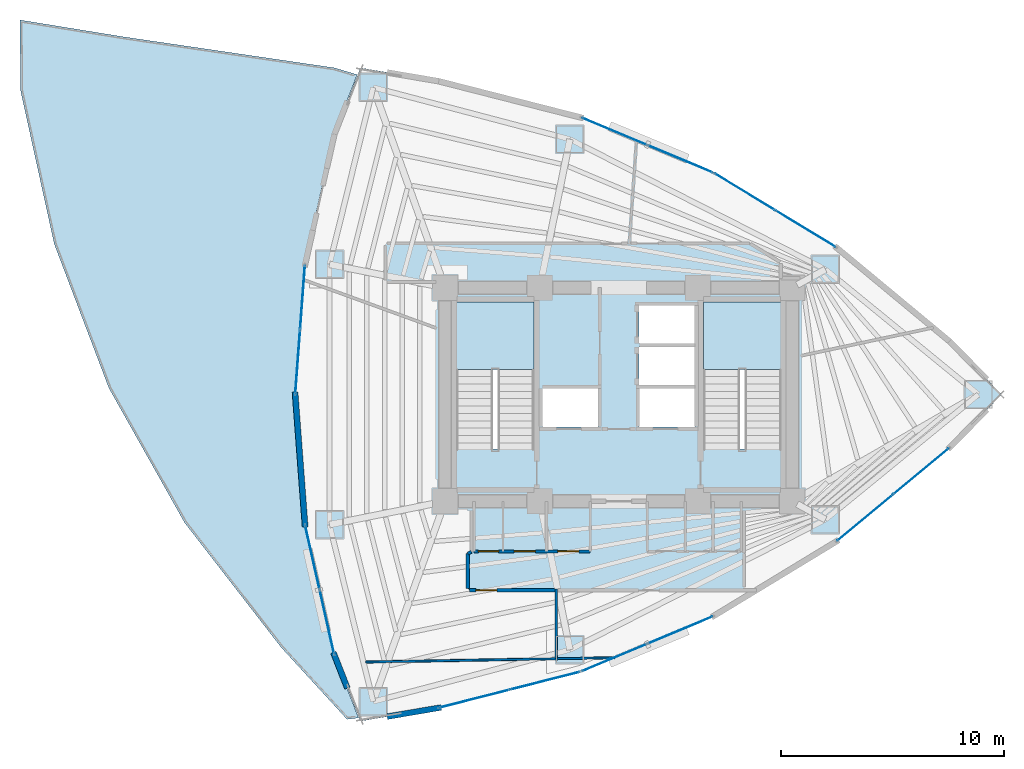
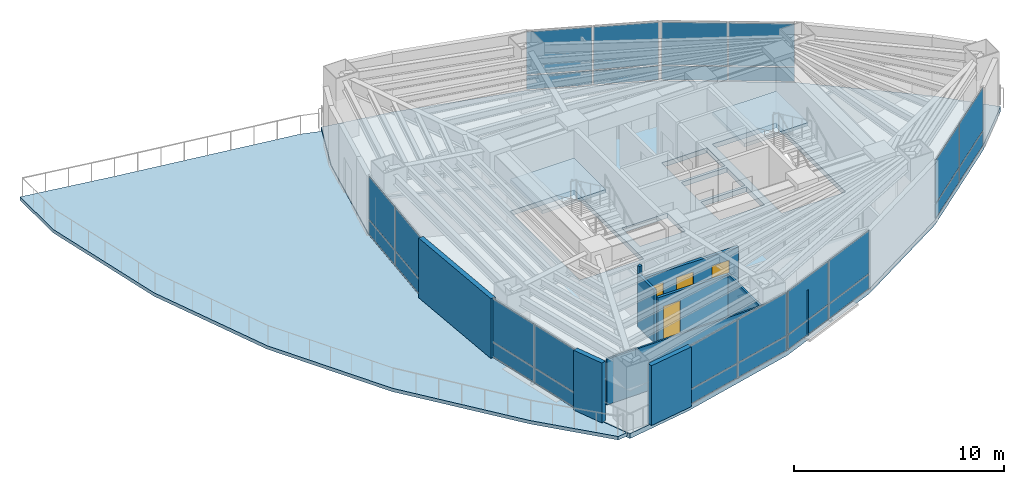
# One storey, part 14 of 19: 28 plates, 9 walls, 4 doors, 4 slabs, 4 openings, 9 elements without a shape of their own.
"""IFC4 building model written with IfcOpenShell, lengths in metres."""

from ifc_helpers import new_model, si_unit, direction, frame, frame_2d, origin, origin_2d, place, context, subcontext, project, spatial, polyline, rectangle, outline, extrude, material, layer, layer_set, type_object, element, fill, aggregate, save


model = new_model("IFC4")

# Units and contexts
model_context = context("Model", 3, precision=1e-05, world=origin(), true_north=direction((0.0, 1.0)))
body_context = subcontext(model_context, "Body", "Model", "MODEL_VIEW")
ifc_project = project(units=[si_unit("LENGTHUNIT", "METRE"), si_unit("AREAUNIT", "SQUARE_METRE"), si_unit("VOLUMEUNIT", "CUBIC_METRE"), si_unit("PLANEANGLEUNIT", "RADIAN"), si_unit("MASSUNIT", "GRAM", prefix="KILO")], contexts=[model_context])

# Site, building, storey
site_placement = place(None, origin())
site = spatial("IfcSite", under=ifc_project, at=site_placement, CompositionType="ELEMENT")
building_placement = place(site_placement, origin())
building = spatial("IfcBuilding", under=site, at=building_placement, Name="Menara Vayukalpa", CompositionType="ELEMENT")
storey_placement = place(building_placement, frame((0.0, 0.0, 118.860107421875)))
storey = spatial("IfcBuildingStorey", under=building, at=storey_placement, Name="L29", CompositionType="ELEMENT", Elevation=118.860107421875)

# Curtain wall, plates
ifc_material_1 = material(Name="Anodised Terracotta Aluminium Alloy 6063-T6", Category="masonry")
ifc_layer_1 = layer(ifc_material_1, 0.14990234375)
ifc_layer_set_1 = layer_set([ifc_layer_1], Name="Anodised Terracotta Aluminium Alloy 6063-T6")
curtain_wall_type = type_object("IfcCurtainWallType", Name="CW-CW3", PredefinedType="USERDEFINED", material=ifc_layer_set_1)
curtain_wall_1_placement = place(storey_placement, origin())
curtain_wall_1 = element("IfcCurtainWall", 1, at=curtain_wall_1_placement, inside=storey, type_object=curtain_wall_type, Name="L29 Mid Rise Terracotta Ribbon Curtain Wall CW3 04", ObjectType="UNITISED", PredefinedType="USERDEFINED")
ifc_material_2 = material(Name="Low-E Double Glazing", Category="glass")
ifc_layer_2 = layer(ifc_material_2, 0.030029296875)
ifc_layer_set_2 = layer_set([ifc_layer_2], Name="Low-E Double Glazing")
plate_type = type_object("IfcPlateType", Name="CWP-CW3", PredefinedType="CURTAIN_PANEL", material=ifc_layer_set_2)
plate_1_placement = place(storey_placement, frame((33.9921875, 29.44873046875, 0.06494140625), z_axis=(0.0, 0.0, 1.0), x_axis=(-0.854663123674, 0.519182959112, 0.0)))
plate_1 = element("IfcPlate", 2, at=plate_1_placement, type_object=plate_type, Name="CW3 panel 1.1", PredefinedType="CURTAIN_PANEL", context=body_context, shape_type="SweptSolid", body=[
    extrude(rectangle(XDim=3.1318359375, YDim=0.030029296875, at=origin_2d()), origin(), (0.0, 0.0, 1.0), 0.802490234375),
])
plate_2_placement = place(storey_placement, frame((33.9921875, 29.44873046875, 0.9326171875), z_axis=(0.0, 0.0, 1.0), x_axis=(-0.854663123674, 0.519182959112, 0.0)))
plate_2 = element("IfcPlate", 3, at=plate_2_placement, type_object=plate_type, Name="CW3 panel 1.2", PredefinedType="CURTAIN_PANEL", context=body_context, shape_type="SweptSolid", body=[
    extrude(rectangle(XDim=3.1318359375, YDim=0.030029296875, at=origin_2d()), origin(), (0.0, 0.0, 1.0), 2.472412109375),
])
plate_3_placement = place(storey_placement, frame((31.259765625, 31.1083984375, 0.06494140625), z_axis=(0.0, 0.0, 1.0), x_axis=(-0.854663123674, 0.519182959112, 0.0)))
plate_3 = element("IfcPlate", 4, at=plate_3_placement, type_object=plate_type, Name="CW3 panel 2.1", PredefinedType="CURTAIN_PANEL", context=body_context, shape_type="SweptSolid", body=[
    extrude(rectangle(XDim=3.1318359375, YDim=0.030029296875, at=origin_2d()), origin(), (0.0, 0.0, 1.0), 0.802490234375),
])
plate_4_placement = place(storey_placement, frame((31.259765625, 31.1083984375, 0.9326171875), z_axis=(0.0, 0.0, 1.0), x_axis=(-0.854663123674, 0.519182959112, 0.0)))
plate_4 = element("IfcPlate", 5, at=plate_4_placement, type_object=plate_type, Name="CW3 panel 2.2", PredefinedType="CURTAIN_PANEL", context=body_context, shape_type="SweptSolid", body=[
    extrude(rectangle(XDim=3.1318359375, YDim=0.030029296875, at=origin_2d()), origin(), (0.0, 0.0, 1.0), 2.472412109375),
])
aggregate(curtain_wall_1, [plate_1, plate_2, plate_3, plate_4])

curtain_wall_2_placement = place(storey_placement, origin())
curtain_wall_2 = element("IfcCurtainWall", 6, at=curtain_wall_2_placement, inside=storey, type_object=curtain_wall_type, Name="L29 Mid Rise Terracotta Ribbon Curtain Wall CW3 05", ObjectType="UNITISED", PredefinedType="USERDEFINED")
plate_5_placement = place(storey_placement, frame((28.361328125, 32.58447265625, 0.06494140625), z_axis=(0.0, 0.0, 1.0), x_axis=(-0.922543300632, 0.38589358437, 0.0)))
plate_5 = element("IfcPlate", 7, at=plate_5_placement, type_object=plate_type, Name="CW3 panel 1.1", PredefinedType="CURTAIN_PANEL", context=body_context, shape_type="SweptSolid", body=[
    extrude(rectangle(XDim=3.1318359375, YDim=0.030029296875, at=origin_2d()), origin(), (0.0, 0.0, 1.0), 0.802490234375),
])
plate_6_placement = place(storey_placement, frame((28.361328125, 32.58447265625, 0.9326171875), z_axis=(0.0, 0.0, 1.0), x_axis=(-0.922543300632, 0.38589358437, 0.0)))
plate_6 = element("IfcPlate", 8, at=plate_6_placement, type_object=plate_type, Name="CW3 panel 1.2", PredefinedType="CURTAIN_PANEL", context=body_context, shape_type="SweptSolid", body=[
    extrude(rectangle(XDim=3.1318359375, YDim=0.030029296875, at=origin_2d()), origin(), (0.0, 0.0, 1.0), 2.472412109375),
])
plate_7_placement = place(storey_placement, frame((25.412109375, 33.818115234375, 0.06494140625), z_axis=(0.0, 0.0, 1.0), x_axis=(-0.922543300632, 0.38589358437, 0.0)))
plate_7 = element("IfcPlate", 9, at=plate_7_placement, type_object=plate_type, Name="CW3 panel 2.1", PredefinedType="CURTAIN_PANEL", context=body_context, shape_type="SweptSolid", body=[
    extrude(rectangle(XDim=3.1318359375, YDim=0.030029296875, at=origin_2d()), origin(), (0.0, 0.0, 1.0), 0.802490234375),
])
plate_8_placement = place(storey_placement, frame((25.412109375, 33.818115234375, 0.9326171875), z_axis=(0.0, 0.0, 1.0), x_axis=(-0.922543300632, 0.38589358437, 0.0)))
plate_8 = element("IfcPlate", 10, at=plate_8_placement, type_object=plate_type, Name="CW3 panel 2.2", PredefinedType="CURTAIN_PANEL", context=body_context, shape_type="SweptSolid", body=[
    extrude(rectangle(XDim=3.1318359375, YDim=0.030029296875, at=origin_2d()), origin(), (0.0, 0.0, 1.0), 2.472412109375),
])
aggregate(curtain_wall_2, [plate_5, plate_6, plate_7, plate_8])

curtain_wall_3_placement = place(storey_placement, origin())
curtain_wall_3 = element("IfcCurtainWall", 11, at=curtain_wall_3_placement, inside=storey, type_object=curtain_wall_type, Name="L29 Mid Rise Terracotta Ribbon Curtain Wall CW3 11", ObjectType="UNITISED", PredefinedType="USERDEFINED")
plate_9_placement = place(storey_placement, frame((11.395751953125, 26.3681640625, 0.06494140625), z_axis=(0.0, 0.0, 1.0), x_axis=(-0.07478528334, -0.997199659745, 0.0)))
plate_9 = element("IfcPlate", 12, at=plate_9_placement, type_object=plate_type, Name="CW3 panel 1.1", PredefinedType="CURTAIN_PANEL", context=body_context, shape_type="SweptSolid", body=[
    extrude(rectangle(XDim=2.83349609375, YDim=0.030029296875, at=origin_2d()), origin(), (0.0, 0.0, 1.0), 0.802490234375),
])
plate_10_placement = place(storey_placement, frame((11.395751953125, 26.3681640625, 0.9326171875), z_axis=(0.0, 0.0, 1.0), x_axis=(-0.07478528334, -0.997199659745, 0.0)))
plate_10 = element("IfcPlate", 13, at=plate_10_placement, type_object=plate_type, Name="CW3 panel 1.2", PredefinedType="CURTAIN_PANEL", context=body_context, shape_type="SweptSolid", body=[
    extrude(rectangle(XDim=2.83349609375, YDim=0.030029296875, at=origin_2d()), origin(), (0.0, 0.0, 1.0), 2.472412109375),
])
plate_11_placement = place(storey_placement, frame((11.178955078125, 23.4775390625, 0.06494140625), z_axis=(0.0, 0.0, 1.0), x_axis=(-0.07478528334, -0.997199659745, 0.0)))
plate_11 = element("IfcPlate", 14, at=plate_11_placement, type_object=plate_type, Name="CW3 panel 2.1", PredefinedType="CURTAIN_PANEL", context=body_context, shape_type="SweptSolid", body=[
    extrude(rectangle(XDim=2.83349609375, YDim=0.030029296875, at=origin_2d()), origin(), (0.0, 0.0, 1.0), 0.802490234375),
])
plate_12_placement = place(storey_placement, frame((11.178955078125, 23.4775390625, 0.9326171875), z_axis=(0.0, 0.0, 1.0), x_axis=(-0.07478528334, -0.997199659745, 0.0)))
plate_12 = element("IfcPlate", 15, at=plate_12_placement, type_object=plate_type, Name="CW3 panel 2.2", PredefinedType="CURTAIN_PANEL", context=body_context, shape_type="SweptSolid", body=[
    extrude(rectangle(XDim=2.83349609375, YDim=0.030029296875, at=origin_2d()), origin(), (0.0, 0.0, 1.0), 2.472412109375),
])
aggregate(curtain_wall_3, [plate_9, plate_10, plate_11, plate_12])

curtain_wall_4_placement = place(storey_placement, origin())
curtain_wall_4 = element("IfcCurtainWall", 16, at=curtain_wall_4_placement, inside=storey, type_object=curtain_wall_type, Name="L29 Mid Rise Terracotta Ribbon Curtain Wall CW3 13", ObjectType="UNITISED", PredefinedType="USERDEFINED")
plate_13_placement = place(storey_placement, frame((11.839111328125, 14.677001953125, 0.06494140625), z_axis=(0.0, 0.0, 1.0), x_axis=(0.219514975016, -0.975609130617, 0.0)))
plate_13 = element("IfcPlate", 17, at=plate_13_placement, type_object=plate_type, Name="CW3 panel 1.1", PredefinedType="CURTAIN_PANEL", context=body_context, shape_type="SweptSolid", body=[
    extrude(rectangle(XDim=2.8984375, YDim=0.030029296875, at=origin_2d()), origin(), (0.0, 0.0, 1.0), 0.802490234375),
])
plate_14_placement = place(storey_placement, frame((11.839111328125, 14.677001953125, 0.9326171875), z_axis=(0.0, 0.0, 1.0), x_axis=(0.219514975016, -0.975609130617, 0.0)))
plate_14 = element("IfcPlate", 18, at=plate_14_placement, type_object=plate_type, Name="CW3 panel 1.2", PredefinedType="CURTAIN_PANEL", context=body_context, shape_type="SweptSolid", body=[
    extrude(rectangle(XDim=2.8984375, YDim=0.030029296875, at=origin_2d()), origin(), (0.0, 0.0, 1.0), 2.472412109375),
])
plate_15_placement = place(storey_placement, frame((12.489501953125, 11.785888671875, 0.06494140625), z_axis=(0.0, 0.0, 1.0), x_axis=(0.219514975016, -0.975609130617, 0.0)))
plate_15 = element("IfcPlate", 19, at=plate_15_placement, type_object=plate_type, Name="CW3 panel 2.1", PredefinedType="CURTAIN_PANEL", context=body_context, shape_type="SweptSolid", body=[
    extrude(rectangle(XDim=2.8984375, YDim=0.030029296875, at=origin_2d()), origin(), (0.0, 0.0, 1.0), 0.802490234375),
])
plate_16_placement = place(storey_placement, frame((12.489501953125, 11.785888671875, 0.9326171875), z_axis=(0.0, 0.0, 1.0), x_axis=(0.219514975016, -0.975609130617, 0.0)))
plate_16 = element("IfcPlate", 20, at=plate_16_placement, type_object=plate_type, Name="CW3 panel 2.2", PredefinedType="CURTAIN_PANEL", context=body_context, shape_type="SweptSolid", body=[
    extrude(rectangle(XDim=2.8984375, YDim=0.030029296875, at=origin_2d()), origin(), (0.0, 0.0, 1.0), 2.472412109375),
])
aggregate(curtain_wall_4, [plate_13, plate_14, plate_15, plate_16])

curtain_wall_5_placement = place(storey_placement, origin())
curtain_wall_5 = element("IfcCurtainWall", 21, at=curtain_wall_5_placement, inside=storey, type_object=curtain_wall_type, Name="L29 Mid Rise Terracotta Ribbon Curtain Wall CW3 16", ObjectType="UNITISED", PredefinedType="USERDEFINED")
plate_17_placement = place(storey_placement, frame((19.12548828125, 8.332763671875, 0.06494140625), z_axis=(0.0, 0.0, 1.0), x_axis=(0.968982181476, 0.247130597017, 0.0)))
plate_17 = element("IfcPlate", 22, at=plate_17_placement, type_object=plate_type, Name="CW3 panel 1.1", PredefinedType="CURTAIN_PANEL", context=body_context, shape_type="SweptSolid", body=[
    extrude(rectangle(XDim=3.203369140625, YDim=0.030029296875, at=origin_2d()), origin(), (0.0, 0.0, 1.0), 0.802490234375),
])
plate_18_placement = place(storey_placement, frame((19.12548828125, 8.332763671875, 0.9326171875), z_axis=(0.0, 0.0, 1.0), x_axis=(0.968982181476, 0.247130597017, 0.0)))
plate_18 = element("IfcPlate", 23, at=plate_18_placement, type_object=plate_type, Name="CW3 panel 1.2", PredefinedType="CURTAIN_PANEL", context=body_context, shape_type="SweptSolid", body=[
    extrude(rectangle(XDim=3.203369140625, YDim=0.030029296875, at=origin_2d()), origin(), (0.0, 0.0, 1.0), 2.472412109375),
])
plate_19_placement = place(storey_placement, frame((22.29248046875, 9.140625, 0.06494140625), z_axis=(0.0, 0.0, 1.0), x_axis=(0.968982181476, 0.247130597017, 0.0)))
plate_19 = element("IfcPlate", 24, at=plate_19_placement, type_object=plate_type, Name="CW3 panel 2.1", PredefinedType="CURTAIN_PANEL", context=body_context, shape_type="SweptSolid", body=[
    extrude(rectangle(XDim=3.203369140625, YDim=0.030029296875, at=origin_2d()), origin(), (0.0, 0.0, 1.0), 0.802490234375),
])
plate_20_placement = place(storey_placement, frame((22.29248046875, 9.140625, 0.9326171875), z_axis=(0.0, 0.0, 1.0), x_axis=(0.968982181476, 0.247130597017, 0.0)))
plate_20 = element("IfcPlate", 25, at=plate_20_placement, type_object=plate_type, Name="CW3 panel 2.2", PredefinedType="CURTAIN_PANEL", context=body_context, shape_type="SweptSolid", body=[
    extrude(rectangle(XDim=3.203369140625, YDim=0.030029296875, at=origin_2d()), origin(), (0.0, 0.0, 1.0), 2.472412109375),
])
aggregate(curtain_wall_5, [plate_17, plate_18, plate_19, plate_20])

curtain_wall_6_placement = place(storey_placement, origin())
curtain_wall_6 = element("IfcCurtainWall", 26, at=curtain_wall_6_placement, inside=storey, type_object=curtain_wall_type, Name="L29 Mid Rise Terracotta Ribbon Curtain Wall CW3 17", ObjectType="UNITISED", PredefinedType="USERDEFINED")
plate_21_placement = place(storey_placement, frame((25.412109375, 10.181884765625, 0.06494140625), z_axis=(0.0, 0.0, 1.0), x_axis=(0.922543300632, 0.38589358437, 0.0)))
plate_21 = element("IfcPlate", 27, at=plate_21_placement, type_object=plate_type, Name="CW3 panel 1.1", PredefinedType="CURTAIN_PANEL", context=body_context, shape_type="SweptSolid", body=[
    extrude(rectangle(XDim=3.1318359375, YDim=0.030029296875, at=origin_2d()), origin(), (0.0, 0.0, 1.0), 0.802490234375),
])
plate_22_placement = place(storey_placement, frame((25.412109375, 10.181884765625, 0.9326171875), z_axis=(0.0, 0.0, 1.0), x_axis=(0.922543300632, 0.38589358437, 0.0)))
plate_22 = element("IfcPlate", 28, at=plate_22_placement, type_object=plate_type, Name="CW3 panel 1.2", PredefinedType="CURTAIN_PANEL", context=body_context, shape_type="SweptSolid", body=[
    extrude(rectangle(XDim=3.1318359375, YDim=0.030029296875, at=origin_2d()), origin(), (0.0, 0.0, 1.0), 2.472412109375),
])
plate_23_placement = place(storey_placement, frame((28.361328125, 11.41552734375, 0.06494140625), z_axis=(0.0, 0.0, 1.0), x_axis=(0.922543300632, 0.38589358437, 0.0)))
plate_23 = element("IfcPlate", 29, at=plate_23_placement, type_object=plate_type, Name="CW3 panel 2.1", PredefinedType="CURTAIN_PANEL", context=body_context, shape_type="SweptSolid", body=[
    extrude(rectangle(XDim=3.1318359375, YDim=0.030029296875, at=origin_2d()), origin(), (0.0, 0.0, 1.0), 0.802490234375),
])
plate_24_placement = place(storey_placement, frame((28.361328125, 11.41552734375, 0.9326171875), z_axis=(0.0, 0.0, 1.0), x_axis=(0.922543300632, 0.38589358437, 0.0)))
plate_24 = element("IfcPlate", 30, at=plate_24_placement, type_object=plate_type, Name="CW3 panel 2.2", PredefinedType="CURTAIN_PANEL", context=body_context, shape_type="SweptSolid", body=[
    extrude(rectangle(XDim=3.1318359375, YDim=0.030029296875, at=origin_2d()), origin(), (0.0, 0.0, 1.0), 2.472412109375),
])
aggregate(curtain_wall_6, [plate_21, plate_22, plate_23, plate_24])

curtain_wall_7_placement = place(storey_placement, origin())
curtain_wall_7 = element("IfcCurtainWall", 31, at=curtain_wall_7_placement, inside=storey, type_object=curtain_wall_type, Name="L29 Mid Rise Terracotta Ribbon Curtain Wall CW3 19", ObjectType="UNITISED", PredefinedType="USERDEFINED")
plate_25_placement = place(storey_placement, frame((36.6689453125, 16.4619140625, 0.06494140625), z_axis=(0.0, 0.0, 1.0), x_axis=(0.769749972797, 0.638345501574, 0.0)))
plate_25 = element("IfcPlate", 32, at=plate_25_placement, type_object=plate_type, Name="CW3 panel 1.1", PredefinedType="CURTAIN_PANEL", context=body_context, shape_type="SweptSolid", body=[
    extrude(rectangle(XDim=3.203369140625, YDim=0.030029296875, at=origin_2d()), origin(), (0.0, 0.0, 1.0), 0.802490234375),
])
plate_26_placement = place(storey_placement, frame((36.6689453125, 16.4619140625, 0.9326171875), z_axis=(0.0, 0.0, 1.0), x_axis=(0.769749972797, 0.638345501574, 0.0)))
plate_26 = element("IfcPlate", 33, at=plate_26_placement, type_object=plate_type, Name="CW3 panel 1.2", PredefinedType="CURTAIN_PANEL", context=body_context, shape_type="SweptSolid", body=[
    extrude(rectangle(XDim=3.203369140625, YDim=0.030029296875, at=origin_2d()), origin(), (0.0, 0.0, 1.0), 2.472412109375),
])
plate_27_placement = place(storey_placement, frame((39.184814453125, 18.54833984375, 0.06494140625), z_axis=(0.0, 0.0, 1.0), x_axis=(0.769749972797, 0.638345501574, 0.0)))
plate_27 = element("IfcPlate", 34, at=plate_27_placement, type_object=plate_type, Name="CW3 panel 2.1", PredefinedType="CURTAIN_PANEL", context=body_context, shape_type="SweptSolid", body=[
    extrude(rectangle(XDim=3.203369140625, YDim=0.030029296875, at=origin_2d()), origin(), (0.0, 0.0, 1.0), 0.802490234375),
])
plate_28_placement = place(storey_placement, frame((39.184814453125, 18.54833984375, 0.9326171875), z_axis=(0.0, 0.0, 1.0), x_axis=(0.769749972797, 0.638345501574, 0.0)))
plate_28 = element("IfcPlate", 35, at=plate_28_placement, type_object=plate_type, Name="CW3 panel 2.2", PredefinedType="CURTAIN_PANEL", context=body_context, shape_type="SweptSolid", body=[
    extrude(rectangle(XDim=3.203369140625, YDim=0.030029296875, at=origin_2d()), origin(), (0.0, 0.0, 1.0), 2.472412109375),
])
aggregate(curtain_wall_7, [plate_25, plate_26, plate_27, plate_28])

# Slab
ifc_material_3 = material(Name="Concrete C40/50", Category="concrete")
ifc_layer_3 = layer(ifc_material_3, 0.280029296875)
ifc_layer_set_3 = layer_set([ifc_layer_3], Name="Concrete C40/50")
slab_type_1 = type_object("IfcSlabType", Name="SLB-FL280", PredefinedType="FLOOR", material=ifc_layer_set_3)
slab_1_placement = place(storey_placement, frame((0.0, 0.0, -0.280029296875)))
element("IfcSlab", 36, at=slab_1_placement, inside=storey, type_object=slab_type_1, Name="L29 Structural Floor Slab", PredefinedType="FLOOR", context=body_context, shape_type="SweptSolid", body=[
    extrude(outline(polyline([(40.4677734375, 19.6123046875), (42.81201171875, 22.0), (40.4677734375, 24.3876953125), (35.385986328125, 28.601806640625), (29.865966796875, 31.955078125), (23.907470703125, 34.447509765625), (17.510498046875, 36.0791015625), (13.993896484375, 36.676025390625), (12.822021484375, 33.69140625), (11.506591796875, 27.845703125), (11.068115234375, 22.0), (11.506591796875, 16.154296875), (12.822021484375, 10.30859375), (13.993896484375, 7.323974609375), (17.510498046875, 7.9208984375), (23.907470703125, 9.552490234375), (29.865966796875, 12.044921875), (35.385986328125, 15.398193359375), (40.4677734375, 19.6123046875)]), holes=[polyline([(21.800048828125, 19.550048828125), (21.800048828125, 26.14990234375), (18.300048828125, 26.14990234375), (18.300048828125, 19.550048828125), (21.800048828125, 19.550048828125)]), polyline([(32.89990234375, 19.550048828125), (32.89990234375, 26.14990234375), (29.39990234375, 26.14990234375), (29.39990234375, 19.550048828125), (32.89990234375, 19.550048828125)]), polyline([(22.179931640625, 20.550048828125), (24.679931640625, 20.550048828125), (24.679931640625, 22.27001953125), (22.179931640625, 22.27001953125), (22.179931640625, 20.550048828125)]), polyline([(26.52001953125, 20.550048828125), (29.02001953125, 20.550048828125), (29.02001953125, 22.27001953125), (26.52001953125, 22.27001953125), (26.52001953125, 20.550048828125)]), polyline([(26.52001953125, 24.2900390625), (29.02001953125, 24.2900390625), (29.02001953125, 26.010009765625), (26.52001953125, 26.010009765625), (26.52001953125, 24.2900390625)]), polyline([(26.52001953125, 22.419921875), (29.02001953125, 22.419921875), (29.02001953125, 24.139892578125), (26.52001953125, 24.139892578125), (26.52001953125, 22.419921875)])]), origin(), (0.0, 0.0, 1.0), 0.280029296875),
])

# Stair, slab
ifc_material_4 = material(Name="Precast Concrete C40/50", Category="concrete")
stair_type = type_object("IfcStairType", Name="STR-T04", PredefinedType="DOUBLE_RETURN_STAIR", material=ifc_material_4)
stair_1_placement = place(storey_placement, origin())
stair_1 = element("IfcStair", 37, at=stair_1_placement, inside=storey, type_object=stair_type, Name="L29 Core Exit Stair ST-1", PredefinedType="DOUBLE_RETURN_STAIR")
ifc_material_5 = material(Name="Precast Concrete C40/50", Category="concrete")
ifc_layer_4 = layer(ifc_material_5, 0.199951171875)
ifc_layer_set_4 = layer_set([ifc_layer_4], Name="Precast Concrete C40/50")
slab_type_2 = type_object("IfcSlabType", Name="SLB-LND200", PredefinedType="LANDING", material=ifc_layer_set_4)
slab_2_placement = place(storey_placement, frame((0.0, 0.0, 1.659912109375)))
slab_2 = element("IfcSlab", 38, at=slab_2_placement, type_object=slab_type_2, Name="ST-1 landing 1", PredefinedType="LANDING", context=body_context, shape_type="SweptSolid", body=[
    extrude(outline(polyline([(21.800048828125, 23.1298828125), (21.800048828125, 26.14990234375), (18.300048828125, 26.14990234375), (18.300048828125, 23.1298828125), (21.800048828125, 23.1298828125)])), origin(), (0.0, 0.0, 1.0), 0.199951171875),
])
aggregate(stair_1, [slab_2])

stair_2_placement = place(storey_placement, origin())
stair_2 = element("IfcStair", 39, at=stair_2_placement, inside=storey, type_object=stair_type, Name="L29 Core Exit Stair ST-2", PredefinedType="DOUBLE_RETURN_STAIR")
slab_3_placement = place(storey_placement, frame((0.0, 0.0, 1.659912109375)))
slab_3 = element("IfcSlab", 40, at=slab_3_placement, type_object=slab_type_2, Name="ST-2 landing 1", PredefinedType="LANDING", context=body_context, shape_type="SweptSolid", body=[
    extrude(outline(polyline([(32.89990234375, 23.1298828125), (32.89990234375, 26.14990234375), (29.39990234375, 26.14990234375), (29.39990234375, 23.1298828125), (32.89990234375, 23.1298828125)])), origin(), (0.0, 0.0, 1.0), 0.199951171875),
])
aggregate(stair_2, [slab_3])

# Slab
ifc_material_6 = material(Name="Concrete C40/50", Category="concrete")
ifc_layer_5 = layer(ifc_material_6, 0.199951171875)
ifc_layer_set_5 = layer_set([ifc_layer_5], Name="Concrete C40/50")
slab_type_3 = type_object("IfcSlabType", Name="SLB-TR200", PredefinedType="FLOOR", material=ifc_layer_set_5)
slab_4_placement = place(storey_placement, frame((0.0, 0.0, -0.2001953125)))
element("IfcSlab", 41, at=slab_4_placement, inside=storey, type_object=slab_type_3, Name="L29 Mid Rise Sky Garden Terrace", PredefinedType="FLOOR", context=body_context, shape_type="SweptSolid", body=[
    extrude(outline(polyline([(13.396240234375, 7.407958984375), (10.43115234375, 10.64453125), (6.0966796875, 16.2431640625), (2.70068359375, 22.280517578125), (0.243408203125, 28.757080078125), (-1.275390625, 35.672607421875), (-1.298583984375, 38.8251953125), (3.4130859375, 38.060302734375), (12.829345703125, 36.676025390625), (13.8515625, 36.3681640625), (12.80322265625, 33.69873046875), (12.802734375, 33.697265625), (12.802490234375, 33.69580078125), (11.487060546875, 27.85009765625), (11.48681640625, 27.84716796875), (11.04833984375, 22.00146484375), (11.048095703125, 22.0), (11.04833984375, 21.99853515625), (11.48681640625, 16.15283203125), (11.487060546875, 16.14990234375), (12.802490234375, 10.30419921875), (12.802734375, 10.302734375), (12.80322265625, 10.30126953125), (13.914306640625, 7.47265625), (13.396240234375, 7.407958984375)])), origin(), (0.0, 0.0, 1.0), 0.2001953125),
])

# Walls
ifc_material_7 = material(Name="Insulated Precast Concrete C40/50", Category="concrete")
ifc_layer_6 = layer(ifc_material_7, 0.260009765625)
ifc_layer_set_6 = layer_set([ifc_layer_6], Name="Insulated Precast Concrete C40/50")
wall_type_1 = type_object("IfcWallType", Name="WAL-EXT260", PredefinedType="PARTITIONING", material=ifc_layer_set_6)
wall_1_placement = place(storey_placement, frame((11.514892578125, 16.044677734375, 0.0), z_axis=(0.0, 0.0, 1.0), x_axis=(-0.074783960668, 0.997199758938, 0.0)))
element("IfcWall", 42, at=wall_1_placement, inside=storey, type_object=wall_type_1, Name="L29 Perimeter Terracotta Pier Wall 12", PredefinedType="PARTITIONING", context=body_context, shape_type="SweptSolid", body=[
    extrude(rectangle(XDim=6.08203125, YDim=0.260009765625, at=frame_2d((3.041015625, 0.0))), origin(), (0.0, 0.0, 1.0), 3.469970703125),
])
wall_2_placement = place(storey_placement, frame((13.411865234375, 8.806396484375, 0.0), z_axis=(0.0, 0.0, 1.0), x_axis=(-0.365547203895, 0.930792802789, 0.0)))
element("IfcWall", 43, at=wall_2_placement, inside=storey, type_object=wall_type_1, Name="L29 Perimeter Terracotta Pier Wall 14", PredefinedType="PARTITIONING", context=body_context, shape_type="SweptSolid", body=[
    extrude(rectangle(XDim=1.723876953125, YDim=0.260009765625, at=frame_2d((0.86181640625, 0.0))), origin(), (0.0, 0.0, 1.0), 3.469970703125),
])
wall_3_placement = place(storey_placement, frame((17.623779296875, 7.940185546875, 0.0), z_axis=(0.0, 0.0, 1.0), x_axis=(-0.985899820751, -0.167336617161, 0.0)))
element("IfcWall", 44, at=wall_3_placement, inside=storey, type_object=wall_type_1, Name="L29 Perimeter Terracotta Pier Wall 15", PredefinedType="PARTITIONING", context=body_context, shape_type="SweptSolid", body=[
    extrude(rectangle(XDim=2.465576171875, YDim=0.260009765625, at=frame_2d((1.23291015625, 0.0))), origin(), (0.0, 0.0, 1.0), 3.469970703125),
])
ifc_material_8 = material(Name="Glazed Demountable Office Partition", Category="glass")
ifc_layer_7 = layer(ifc_material_8, 0.094970703125)
ifc_layer_set_7 = layer_set([ifc_layer_7], Name="Glazed Demountable Office Partition")
wall_type_2 = type_object("IfcWallType", Name="WAL-PT100", PredefinedType="PARTITIONING", material=ifc_layer_set_7)
wall_4_placement = place(storey_placement, frame((14.22900390625, 9.97998046875, 0.0), z_axis=(0.0, 0.0, 1.0), x_axis=(0.99984780162, 0.017446306083, 0.0)))
element("IfcWall", 45, at=wall_4_placement, inside=storey, type_object=wall_type_2, Name="L29 Interior Partition IW-L29-RDIV04", PredefinedType="PARTITIONING", context=body_context, shape_type="SweptSolid", body=[
    extrude(rectangle(XDim=11.195068359375, YDim=0.094970703125, at=frame_2d((5.59765625, 0.0))), origin(), (0.0, 0.0, 1.0), 2.64990234375),
])
ifc_material_9 = material(Name="Acoustic Mineral Stud Partition", Category="masonry")
ifc_layer_8 = layer(ifc_material_9, 0.110107421875)
ifc_layer_set_8 = layer_set([ifc_layer_8], Name="Acoustic Mineral Stud Partition")
wall_type_3 = type_object("IfcWallType", Name="WAL-PT110", PredefinedType="PARTITIONING", material=ifc_layer_set_8)
wall_5_placement = place(storey_placement, frame((22.800048828125, 10.139404296875, 0.0), z_axis=(0.0, 0.0, 1.0), x_axis=(0.0, 1.0, 0.0)))
element("IfcWall", 46, at=wall_5_placement, inside=storey, type_object=wall_type_3, Name="L29 Interior Partition IW-L29-RDIV05", PredefinedType="PARTITIONING", context=body_context, shape_type="SweptSolid", body=[
    extrude(rectangle(XDim=3.130615234375, YDim=0.110107421875, at=frame_2d((1.5654296875, 0.0))), origin(), (0.0, 0.0, 1.0), 2.64990234375),
])

# Wall, openings, doors
ifc_material_10 = material(Name="Gypsum Drywall Acoustic Stud Assembly", Category="masonry")
ifc_layer_9 = layer(ifc_material_10, 0.14501953125)
ifc_layer_set_9 = layer_set([ifc_layer_9], Name="Gypsum Drywall Acoustic Stud Assembly")
wall_type_4 = type_object("IfcWallType", Name="WAL-PT150", PredefinedType="PARTITIONING", material=ifc_layer_set_9)
wall_6_placement = place(storey_placement, frame((19.10009765625, 14.949951171875, 0.0), z_axis=(0.0, 0.0, 1.0), x_axis=(1.0, 0.0, 0.0)))
wall_6 = element("IfcWall", 47, at=wall_6_placement, inside=storey, type_object=wall_type_4, Name="L29 Interior Partition IW-L29-SVCS-W", PredefinedType="PARTITIONING", context=body_context, shape_type="SweptSolid", body=[
    extrude(rectangle(XDim=5.219970703125, YDim=0.14501953125, at=frame_2d((2.60986328125, 0.0))), origin(), (0.0, 0.0, 1.0), 2.64990234375),
])
opening_1_placement = place(wall_6_placement, frame((0.199951171875, 0.0, 0.0)))
opening_1 = element("IfcOpeningElement", 48, at=opening_1_placement, cuts=wall_6, Name="Opening ID7", PredefinedType="OPENING", context=body_context, shape_type="SweptSolid", body=[
    extrude(rectangle(XDim=0.89990234375, YDim=2.02001953125, at=frame_2d((0.449951171875, 1.010009765625))), frame((0.0, 0.08251953125, 0.0), z_axis=(0.0, -1.0, 0.0), x_axis=(1.0, 0.0, 0.0)), (0.0, 0.0, 1.0), 0.1650390625),
])
opening_2_placement = place(wall_6_placement, frame((1.804931640625, 0.0, 0.0)))
opening_2 = element("IfcOpeningElement", 49, at=opening_2_placement, cuts=wall_6, Name="Opening ID5", PredefinedType="OPENING", context=body_context, shape_type="SweptSolid", body=[
    extrude(rectangle(XDim=0.949951171875, YDim=2.06005859375, at=frame_2d((0.47509765625, 1.030029296875))), frame((0.0, 0.08251953125, 0.0), z_axis=(0.0, -1.0, 0.0), x_axis=(1.0, 0.0, 0.0)), (0.0, 0.0, 1.0), 0.1650390625),
])
opening_3_placement = place(wall_6_placement, frame((3.764892578125, 0.0, 0.0)))
opening_3 = element("IfcOpeningElement", 50, at=opening_3_placement, cuts=wall_6, Name="Opening ID5", PredefinedType="OPENING", context=body_context, shape_type="SweptSolid", body=[
    extrude(rectangle(XDim=0.949951171875, YDim=2.06005859375, at=frame_2d((0.47509765625, 1.030029296875))), frame((0.0, 0.08251953125, 0.0), z_axis=(0.0, -1.0, 0.0), x_axis=(1.0, 0.0, 0.0)), (0.0, 0.0, 1.0), 0.1650390625),
])
ifc_material_11 = material(Name="Acoustic Hardwood Veneer Timber Door", Category="wood")
door_type_1 = type_object("IfcDoorType", Name="DR-INT95", OperationType="NOTDEFINED", PredefinedType="DOOR", material=ifc_material_11)
door_1_placement = place(opening_2_placement, origin())
door_1 = element("IfcDoor", 51, at=door_1_placement, inside=storey, type_object=door_type_1, Name="L29 Interior Door DR-L29-AWC", OperationType="SINGLE_SWING_RIGHT", OverallHeight=2.06005859375, OverallWidth=0.949951171875, PredefinedType="DOOR", context=body_context, shape_type="SweptSolid", body=[
    extrude(rectangle(XDim=0.949951171875, YDim=2.06005859375, at=frame_2d((0.47509765625, 1.030029296875))), frame((0.0, 0.02490234375, 0.0), z_axis=(0.0, -1.0, 0.0), x_axis=(1.0, 0.0, 0.0)), (0.0, 0.0, 1.0), 0.050048828125),
])
fill(opening_2, door_1)
door_2_placement = place(opening_3_placement, origin())
door_2 = element("IfcDoor", 52, at=door_2_placement, inside=storey, type_object=door_type_1, Name="L29 Interior Door DR-L29-SWC", OperationType="SINGLE_SWING_LEFT", OverallHeight=2.06005859375, OverallWidth=0.949951171875, PredefinedType="DOOR", context=body_context, shape_type="SweptSolid", body=[
    extrude(rectangle(XDim=0.949951171875, YDim=2.06005859375, at=frame_2d((0.47509765625, 1.030029296875))), frame((0.0, 0.02490234375, 0.0), z_axis=(0.0, -1.0, 0.0), x_axis=(1.0, 0.0, 0.0)), (0.0, 0.0, 1.0), 0.050048828125),
])
fill(opening_3, door_2)
ifc_material_12 = material(Name="Powder-Coated Steel Riser Access Door", Category="steel")
door_type_2 = type_object("IfcDoorType", Name="DR-RISER", OperationType="NOTDEFINED", PredefinedType="DOOR", material=ifc_material_12)
door_3_placement = place(opening_1_placement, origin())
door_3 = element("IfcDoor", 53, at=door_3_placement, inside=storey, type_object=door_type_2, Name="L29 Interior Door DR-L29-ELR", OperationType="SINGLE_SWING_LEFT", OverallHeight=2.02001953125, OverallWidth=0.89990234375, PredefinedType="DOOR", context=body_context, shape_type="SweptSolid", body=[
    extrude(rectangle(XDim=0.89990234375, YDim=2.02001953125, at=frame_2d((0.449951171875, 1.010009765625))), frame((0.0, 0.02490234375, 0.0), z_axis=(0.0, -1.0, 0.0), x_axis=(1.0, 0.0, 0.0)), (0.0, 0.0, 1.0), 0.050048828125),
])
fill(opening_1, door_3)

# Wall
wall_7_placement = place(storey_placement, frame((18.820068359375, 14.85009765625, 0.0), z_axis=(0.0, 0.0, 1.0), x_axis=(0.0, -1.0, 0.0)))
element("IfcWall", 54, at=wall_7_placement, inside=storey, type_object=wall_type_4, Name="L29 Interior Partition IW-L29-CRM01-2", PredefinedType="PARTITIONING", context=body_context, shape_type="SweptSolid", body=[
    extrude(rectangle(XDim=1.56005859375, YDim=0.14501953125, at=frame_2d((0.780029296875, 0.0))), origin(), (0.0, 0.0, 1.0), 3.0498046875),
])

# Wall, opening, door
wall_8_placement = place(storey_placement, frame((18.89990234375, 13.2099609375, 0.0), z_axis=(0.0, 0.0, 1.0), x_axis=(1.0, 0.0, 0.0)))
wall_8 = element("IfcWall", 55, at=wall_8_placement, inside=storey, type_object=wall_type_4, Name="L29 Interior Partition IW-L29-CRM01-3", PredefinedType="PARTITIONING", context=body_context, shape_type="SweptSolid", body=[
    extrude(rectangle(XDim=3.830078125, YDim=0.14501953125, at=frame_2d((1.9150390625, 0.0))), origin(), (0.0, 0.0, 1.0), 2.64990234375),
])
opening_4_placement = place(wall_8_placement, frame((0.280029296875, 0.0, 0.0)))
opening_4 = element("IfcOpeningElement", 56, at=opening_4_placement, cuts=wall_8, Name="Opening ID5", PredefinedType="OPENING", context=body_context, shape_type="SweptSolid", body=[
    extrude(rectangle(XDim=0.949951171875, YDim=2.06005859375, at=frame_2d((0.47509765625, 1.030029296875))), frame((0.0, 0.08251953125, 0.0), z_axis=(0.0, -1.0, 0.0), x_axis=(1.0, 0.0, 0.0)), (0.0, 0.0, 1.0), 0.1650390625),
])
door_4_placement = place(opening_4_placement, origin())
door_4 = element("IfcDoor", 57, at=door_4_placement, inside=storey, type_object=door_type_1, Name="L29 Interior Door DR-L29-RM01", OperationType="SINGLE_SWING_LEFT", OverallHeight=2.06005859375, OverallWidth=0.949951171875, PredefinedType="DOOR", context=body_context, shape_type="SweptSolid", body=[
    extrude(rectangle(XDim=0.949951171875, YDim=2.06005859375, at=frame_2d((0.47509765625, 1.030029296875))), frame((0.0, 0.02490234375, 0.0), z_axis=(0.0, -1.0, 0.0), x_axis=(1.0, 0.0, 0.0)), (0.0, 0.0, 1.0), 0.050048828125),
])
fill(opening_4, door_4)

# Wall
wall_9_placement = place(storey_placement, frame((18.820068359375, 14.85009765625, 0.0), z_axis=(0.0, 0.0, 1.0), x_axis=(0.89470021502, 0.446667130247, 0.0)))
element("IfcWall", 58, at=wall_9_placement, inside=storey, type_object=wall_type_4, Name="L29 Interior Partition IW-L29-CRM01-2-R0", PredefinedType="PARTITIONING", context=body_context, shape_type="SweptSolid", body=[
    extrude(rectangle(XDim=0.1787109375, YDim=0.14501953125, at=frame_2d((0.08935546875, 0.0))), origin(), (0.0, 0.0, 1.0), 3.469970703125),
])

save(model, "model.ifc")
